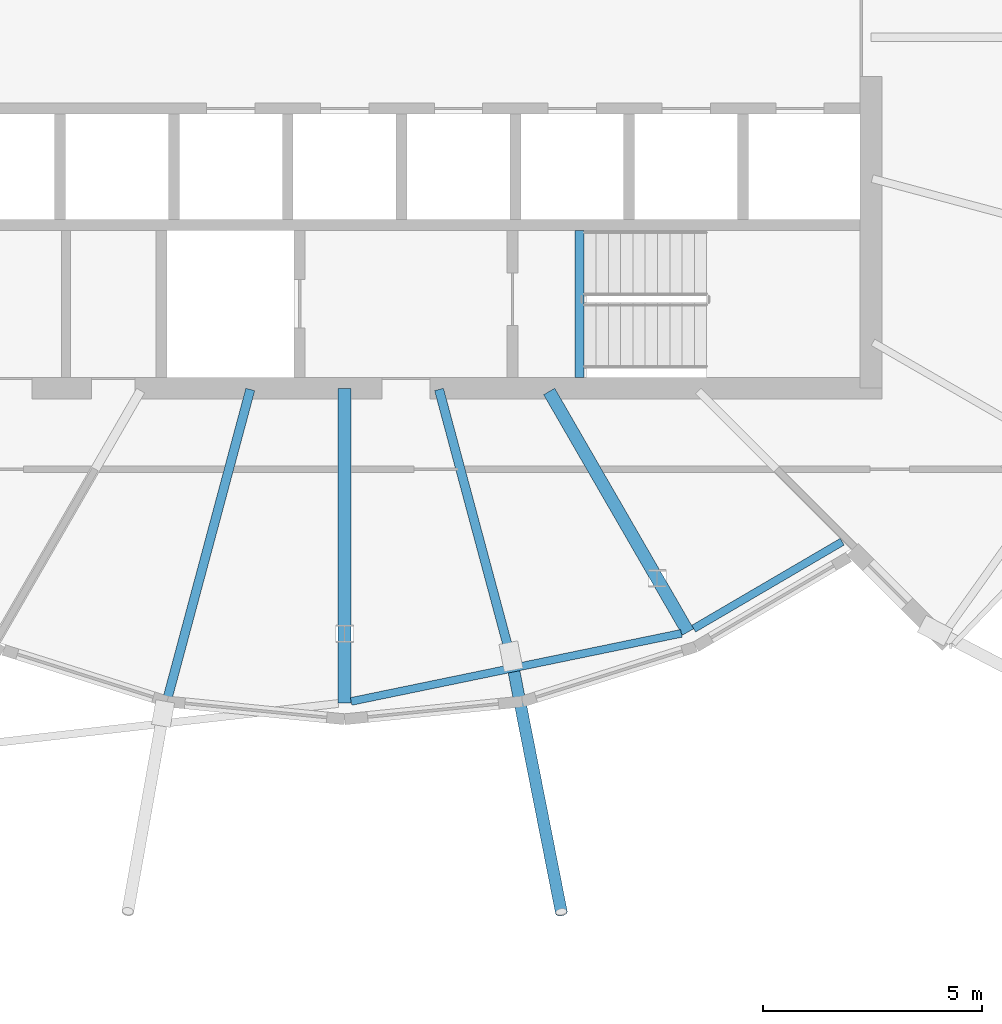
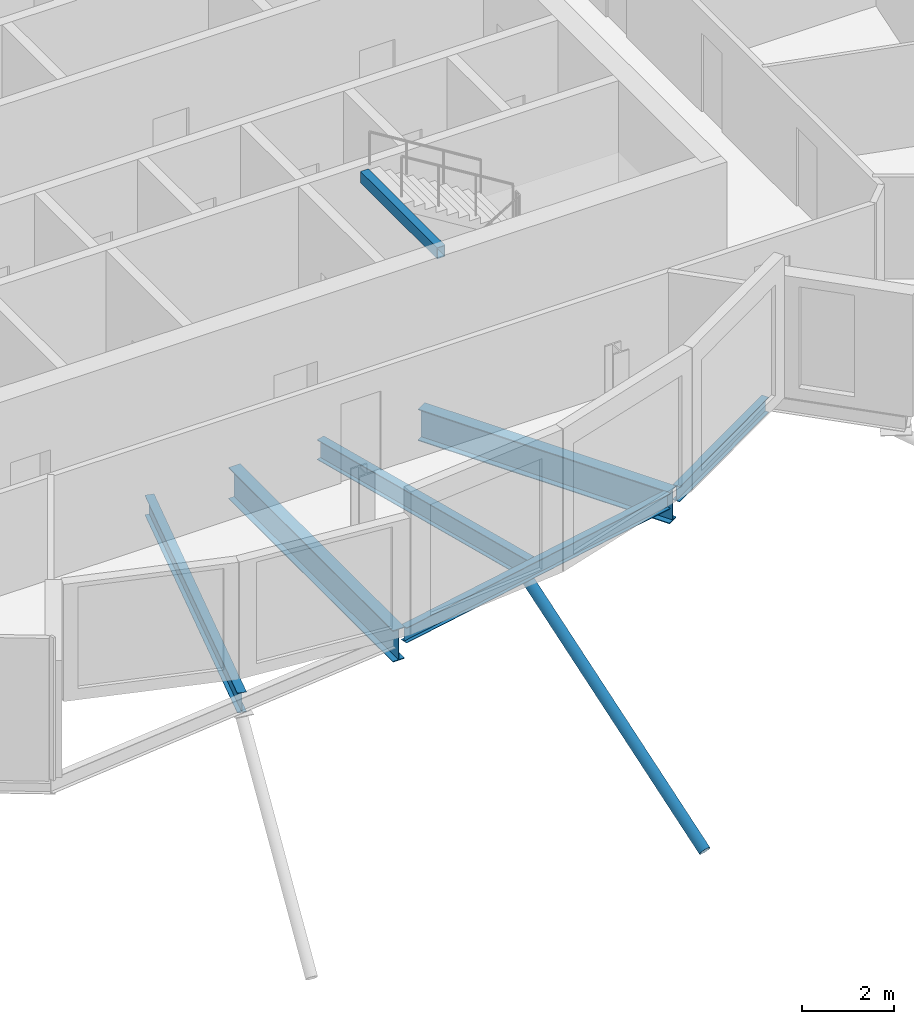
# One storey, part 4 of 35: 7 beams, 1 member.
"""IFC4 building model written with IfcOpenShell, lengths in metres."""

from ifc_helpers import new_model, si_unit, direction, frame, origin, origin_2d, place, context, subcontext, project, spatial, hollow_rectangle, hollow_circle, i_section, extrude, clip, halfspace, material, material_profile, profile_set, type_object, element, save


model = new_model("IFC4")

# Units and contexts
model_context = context("Model", 3, precision=1e-05, world=origin(), true_north=direction((0.0, 1.0)))
body_context = subcontext(model_context, "Body", "Model", "MODEL_VIEW")
ifc_project = project(units=[si_unit("LENGTHUNIT", "METRE"), si_unit("AREAUNIT", "SQUARE_METRE"), si_unit("VOLUMEUNIT", "CUBIC_METRE"), si_unit("PLANEANGLEUNIT", "RADIAN"), si_unit("MASSUNIT", "GRAM", prefix="KILO")], contexts=[model_context])

# Site, building, storey
site_placement = place(None, origin())
site = spatial("IfcSite", under=ifc_project, at=site_placement, CompositionType="ELEMENT")
building_placement = place(site_placement, origin())
building = spatial("IfcBuilding", under=site, at=building_placement, Name="Rimbun Link Towers", CompositionType="ELEMENT")
storey_placement = place(building_placement, frame((0.0, 0.0, 225.699951171875)))
storey = spatial("IfcBuildingStorey", under=building, at=storey_placement, Name="L55", CompositionType="ELEMENT", Elevation=225.699951171875)

# Member
ifc_material_1 = material(Name="Steel S355J2H", Category="steel")
ifc_material_profile_1 = material_profile(ifc_material_1, hollow_circle(Radius=0.136474609375, WallThickness=0.012451171875, at=origin_2d()), Name="CHS 273x12.5")
ifc_profile_set_1 = profile_set([ifc_material_profile_1], Name="Steel S355J2H")
member_type = type_object("IfcMemberType", Name="Floor edge link CHS 273x12.5", PredefinedType="BRACE", material=ifc_profile_set_1)
member_placement = place(storey_placement, frame((-27.9345703125, -14.239501953125, -0.78564453125), z_axis=(0.158075771201, -0.802425012255, -0.57543561783), x_axis=(0.981143088723, 0.193282796572, 0.0)))
element("IfcMember", 1, at=member_placement, inside=storey, type_object=member_type, Name="Floor edge link T1 L55 19", PredefinedType="BRACE", context=body_context, shape_type="Clipping", body=[
    clip(extrude(hollow_circle(Radius=0.136474609375, WallThickness=0.012451171875, at=origin_2d()), frame((0.0, 0.0, -0.405517578125)), (0.0, 0.0, 1.0), 7.51904296875), halfspace(frame((0.0, 0.0, -0.192138671875), z_axis=(0.0, 0.81784708212, -0.57543561783)), False)),
])

# Beams
ifc_material_2 = material(Name="Steel S355J2", Category="steel")
ifc_material_profile_2 = material_profile(ifc_material_2, hollow_rectangle(XDim=0.199951171875, YDim=0.300048828125, WallThickness=0.011962890625, at=origin_2d()), Name="BOX 300x200x12")
ifc_profile_set_2 = profile_set([ifc_material_profile_2], Name="Steel S355J2")
beam_type_1 = type_object("IfcBeamType", Name="Stair trimmer beam BOX 300x200x12", PredefinedType="BEAM", material=ifc_profile_set_2)
beam_1_placement = place(storey_placement, frame((-26.39990234375, -7.75, 3.510009765625), z_axis=(0.0, 1.0, 0.0), x_axis=(-1.0, 0.0, 0.0)))
element("IfcBeam", 2, at=beam_1_placement, inside=storey, type_object=beam_type_1, Name="L55 ST2 stair beam 1", PredefinedType="BEAM", context=body_context, shape_type="SweptSolid", body=[
    extrude(hollow_rectangle(XDim=0.199951171875, YDim=0.300048828125, WallThickness=0.011962890625, at=origin_2d()), origin(), (0.0, 0.0, 1.0), 3.35009765625),
])
ifc_material_3 = material(Name="Steel S355J2", Category="steel")
ifc_material_profile_3 = material_profile(ifc_material_3, i_section(OverallWidth=0.177978515625, OverallDepth=0.406494140625, WebThickness=0.0078125, FlangeThickness=0.0126953125, at=origin_2d()), Name="UB 406x178x60")
ifc_profile_set_3 = profile_set([ifc_material_profile_3], Name="Steel S355J2")
beam_type_2 = type_object("IfcBeamType", Name="UB 406x178x60", PredefinedType="BEAM", material=ifc_profile_set_3)
beam_2_placement = place(storey_placement, frame((-31.602783203125, -15.138671875, -0.34326171875), z_axis=(0.979397764752, 0.201940630876, 0.0), x_axis=(-0.201940630876, 0.979397764752, 0.0)))
element("IfcBeam", 3, at=beam_2_placement, inside=storey, type_object=beam_type_2, Name="Edge beam T1 L55 18-20", PredefinedType="BEAM", context=body_context, shape_type="SweptSolid", body=[
    extrude(i_section(OverallWidth=0.177978515625, OverallDepth=0.406494140625, WebThickness=0.0078125, FlangeThickness=0.0126953125, at=origin_2d()), origin(), (0.0, 0.0, 1.0), 7.685546875),
])
beam_3_placement = place(storey_placement, frame((-23.79638671875, -13.480712890625, -0.34326171875), z_axis=(0.863042257787, 0.505131726656, 0.0), x_axis=(-0.505131726656, 0.863042257787, 0.0)))
element("IfcBeam", 4, at=beam_3_placement, inside=storey, type_object=beam_type_2, Name="Edge beam T1 L55 20 recess", PredefinedType="BEAM", context=body_context, shape_type="SweptSolid", body=[
    extrude(i_section(OverallWidth=0.177978515625, OverallDepth=0.406494140625, WebThickness=0.0078125, FlangeThickness=0.0126953125, at=origin_2d()), origin(), (0.0, 0.0, 1.0), 3.923583984375),
])
ifc_material_4 = material(Name="Steel S355J2", Category="steel")
ifc_material_profile_4 = material_profile(ifc_material_4, i_section(OverallWidth=0.209228515625, OverallDepth=0.533203125, WebThickness=0.010009765625, FlangeThickness=0.015625, at=origin_2d()), Name="UB 533x210x92")
ifc_profile_set_4 = profile_set([ifc_material_profile_4], Name="Steel S355J2")
beam_type_3 = type_object("IfcBeamType", Name="UB 533x210x92", PredefinedType="BEAM", material=ifc_profile_set_4)
beam_4_placement = place(storey_placement, frame((-33.901123046875, -8.028076171875, -0.406494140625), z_axis=(-0.258822739938, -0.965924836253, 0.0), x_axis=(0.965924836253, -0.258822739938, 0.0)))
element("IfcBeam", 5, at=beam_4_placement, inside=storey, type_object=beam_type_3, Name="Radial beam T1 L55 17", PredefinedType="BEAM", context=body_context, shape_type="SweptSolid", body=[
    extrude(i_section(OverallWidth=0.209228515625, OverallDepth=0.533203125, WebThickness=0.010009765625, FlangeThickness=0.015625, at=origin_2d()), origin(), (0.0, 0.0, 1.0), 7.79248046875),
])
beam_5_placement = place(storey_placement, frame((-29.598876953125, -8.028076171875, -0.406494140625), z_axis=(0.258811407408, -0.965927872771, 0.0), x_axis=(0.965927872771, 0.258811407408, 0.0)))
element("IfcBeam", 6, at=beam_5_placement, inside=storey, type_object=beam_type_3, Name="Radial beam T1 L55 19", PredefinedType="BEAM", context=body_context, shape_type="SweptSolid", body=[
    extrude(i_section(OverallWidth=0.209228515625, OverallDepth=0.533203125, WebThickness=0.010009765625, FlangeThickness=0.015625, at=origin_2d()), origin(), (0.0, 0.0, 1.0), 6.48046875),
])
ifc_material_5 = material(Name="Steel S355J2", Category="steel")
ifc_material_profile_5 = material_profile(ifc_material_5, i_section(OverallWidth=0.29248046875, OverallDepth=0.8408203125, WebThickness=0.0126953125, FlangeThickness=0.021728515625, at=origin_2d()), Name="UB 838x292x194")
ifc_profile_set_5 = profile_set([ifc_material_profile_5], Name="Steel S355J2")
beam_type_4 = type_object("IfcBeamType", Name="UB 838x292x194", PredefinedType="BEAM", material=ifc_profile_set_5)
beam_6_placement = place(storey_placement, frame((-31.75, -8.0009765625, -0.560302734375), z_axis=(0.0, -1.0, 0.0), x_axis=(1.0, 0.0, 0.0)))
element("IfcBeam", 7, at=beam_6_placement, inside=storey, type_object=beam_type_4, Name="Radial beam T1 L55 18", PredefinedType="BEAM", context=body_context, shape_type="SweptSolid", body=[
    extrude(i_section(OverallWidth=0.29248046875, OverallDepth=0.8408203125, WebThickness=0.0126953125, FlangeThickness=0.021728515625, at=origin_2d()), origin(), (0.0, 0.0, 1.0), 7.168212890625),
])
beam_7_placement = place(storey_placement, frame((-27.08837890625, -8.073974609375, -0.560302734375), z_axis=(0.499980667847, -0.866036564921, 0.0), x_axis=(0.866036564921, 0.499980667847, 0.0)))
element("IfcBeam", 8, at=beam_7_placement, inside=storey, type_object=beam_type_4, Name="Radial beam T1 L55 20", PredefinedType="BEAM", context=body_context, shape_type="SweptSolid", body=[
    extrude(i_section(OverallWidth=0.29248046875, OverallDepth=0.8408203125, WebThickness=0.0126953125, FlangeThickness=0.021728515625, at=origin_2d()), origin(), (0.0, 0.0, 1.0), 6.329345703125),
])

save(model, "model.ifc")
